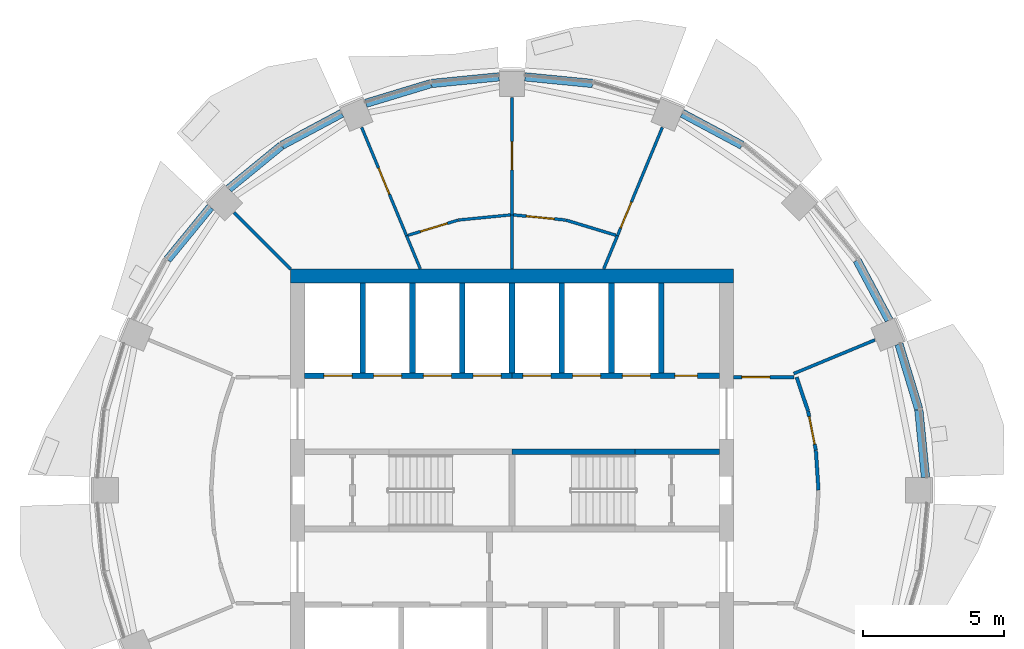
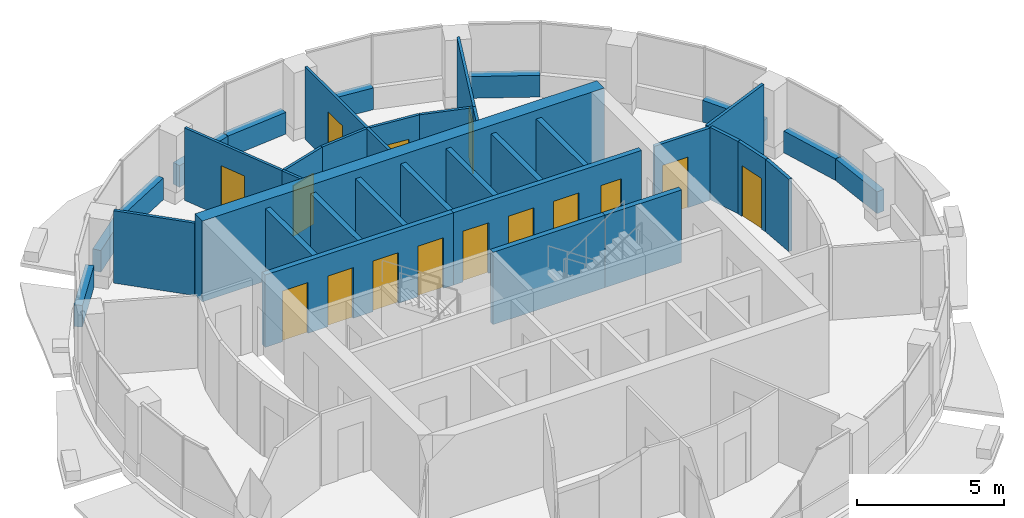
# One storey, part 9 of 14: 38 walls, 15 doors, 15 openings.
"""IFC4 building model written with IfcOpenShell, lengths in metres."""

from ifc_helpers import new_model, si_unit, direction, frame, frame_2d, origin, place, context, subcontext, project, spatial, rectangle, extrude, material, layer, layer_set, type_object, element, fill, save


model = new_model("IFC4")

# Units and contexts
model_context = context("Model", 3, precision=1e-05, world=origin(), true_north=direction((0.0, 1.0)))
body_context = subcontext(model_context, "Body", "Model", "MODEL_VIEW")
ifc_project = project(units=[si_unit("LENGTHUNIT", "METRE"), si_unit("AREAUNIT", "SQUARE_METRE"), si_unit("VOLUMEUNIT", "CUBIC_METRE"), si_unit("PLANEANGLEUNIT", "RADIAN"), si_unit("MASSUNIT", "GRAM", prefix="KILO")], contexts=[model_context])

# Site, building, storey
site_placement = place(None, origin())
site = spatial("IfcSite", under=ifc_project, at=site_placement, CompositionType="ELEMENT")
building_placement = place(site_placement, origin())
building = spatial("IfcBuilding", under=site, at=building_placement, Name="Polderwave Tower", CompositionType="ELEMENT")
storey_placement = place(building_placement, frame((0.0, 0.0, 227.85009765625)))
storey = spatial("IfcBuildingStorey", under=building, at=storey_placement, Name="L62", CompositionType="ELEMENT", Elevation=227.85009765625)

# Walls
ifc_material_1 = material(Name="Concrete C60/75", Category="concrete")
ifc_layer_1 = layer(ifc_material_1, 0.5)
ifc_layer_set_1 = layer_set([ifc_layer_1], Name="CORE WALL 500 C60/75")
wall_type_1 = type_object("IfcWallType", Name="CORE WALL 500 C60/75", PredefinedType="SHEAR", material=ifc_layer_set_1)
wall_1_placement = place(storey_placement, frame((-7.8740234375, 7.6240234375, 0.0), z_axis=(0.0, 0.0, 1.0), x_axis=(1.0, 0.0, 0.0)))
element("IfcWall", 1, at=wall_1_placement, inside=storey, type_object=wall_type_1, Name="ST-CORE-L62-N", PredefinedType="SHEAR", context=body_context, shape_type="SweptSolid", body=[
    extrude(rectangle(XDim=15.748046875, YDim=0.5, at=frame_2d((7.8740234375, 0.0))), origin(), (0.0, 0.0, 1.0), 3.349853515625),
])
ifc_material_2 = material(Name="Concrete C50/60 (board-marked)", Category="concrete")
ifc_layer_2 = layer(ifc_material_2, 0.300048828125)
ifc_layer_set_2 = layer_set([ifc_layer_2], Name="Concrete spandrel upstand C50/60")
wall_type_2 = type_object("IfcWallType", Name="Concrete spandrel upstand C50/60", PredefinedType="SOLIDWALL", material=ifc_layer_set_2)
wall_2_placement = place(storey_placement, frame((14.70458984375, 0.462890625, 0.0), z_axis=(0.0, 0.0, 1.0), x_axis=(-0.09792937678, 0.99519336672, 0.0)))
element("IfcWall", 2, at=wall_2_placement, inside=storey, type_object=wall_type_2, Name="Spandrel L62 1a", PredefinedType="SOLIDWALL", context=body_context, shape_type="SweptSolid", body=[
    extrude(rectangle(XDim=2.41064453125, YDim=0.300048828125, at=frame_2d((1.205322265625, 0.0))), origin(), (0.0, 0.0, 1.0), 0.89990234375),
])
wall_3_placement = place(storey_placement, frame((14.462646484375, 2.891357421875, 0.0), z_axis=(0.0, 0.0, 1.0), x_axis=(-0.290412066449, 0.956901683383, 0.0)))
element("IfcWall", 3, at=wall_3_placement, inside=storey, type_object=wall_type_2, Name="Spandrel L62 1b", PredefinedType="SOLIDWALL", context=body_context, shape_type="SweptSolid", body=[
    extrude(rectangle(XDim=2.4111328125, YDim=0.300048828125, at=frame_2d((1.20556640625, 0.0))), origin(), (0.0, 0.0, 1.0), 0.89990234375),
])
for number, where, z_axis, x_axis, name in (
    (4, (13.406982421875, 6.05517578125, 0.0), (0.0, 0.0, 1.0), (-0.471318859495, 0.881962886229, 0.0), "Spandrel L62 2a"),
    (5, (8.180908203125, 12.27099609375, 0.0), (0.0, 0.0, 1.0), (-0.881962886229, 0.471318859495, 0.0), "Spandrel L62 3b"),
):
    element("IfcWall", number, at=place(storey_placement, frame(where, z_axis=z_axis, x_axis=x_axis)), inside=storey, type_object=wall_type_2, Name=name, PredefinedType="SOLIDWALL", context=body_context, shape_type="SweptSolid", body=[
        extrude(rectangle(XDim=2.41015625, YDim=0.300048828125, at=frame_2d((1.205078125, 0.0))), origin(), (0.0, 0.0, 1.0), 0.89990234375),
    ])
for number, where, z_axis, x_axis, name in (
    (6, (2.862060546875, 14.468505859375, 0.0), (0.0, 0.0, 1.0), (-0.99519336672, 0.09792937678, 0.0), "Spandrel L62 4b"),
    (7, (-0.462890625, 14.70458984375, 0.0), (0.0, 0.0, 1.0), (-0.99519336672, -0.09792937678, 0.0), "Spandrel L62 5a"),
):
    element("IfcWall", number, at=place(storey_placement, frame(where, z_axis=z_axis, x_axis=x_axis)), inside=storey, type_object=wall_type_2, Name=name, PredefinedType="SOLIDWALL", context=body_context, shape_type="SweptSolid", body=[
        extrude(rectangle(XDim=2.41064453125, YDim=0.300048828125, at=frame_2d((1.205322265625, 0.0))), origin(), (0.0, 0.0, 1.0), 0.89990234375),
    ])
wall_4_placement = place(storey_placement, frame((-2.891357421875, 14.462646484375, 0.0), z_axis=(0.0, 0.0, 1.0), x_axis=(-0.956901683383, -0.290412066449, 0.0)))
element("IfcWall", 8, at=wall_4_placement, inside=storey, type_object=wall_type_2, Name="Spandrel L62 5b", PredefinedType="SOLIDWALL", context=body_context, shape_type="SweptSolid", body=[
    extrude(rectangle(XDim=2.4111328125, YDim=0.300048828125, at=frame_2d((1.20556640625, 0.0))), origin(), (0.0, 0.0, 1.0), 0.89990234375),
])
wall_5_placement = place(storey_placement, frame((-6.05517578125, 13.406982421875, 0.0), z_axis=(0.0, 0.0, 1.0), x_axis=(-0.881962886229, -0.471318859495, 0.0)))
element("IfcWall", 9, at=wall_5_placement, inside=storey, type_object=wall_type_2, Name="Spandrel L62 6a", PredefinedType="SOLIDWALL", context=body_context, shape_type="SweptSolid", body=[
    extrude(rectangle(XDim=2.41015625, YDim=0.300048828125, at=frame_2d((1.205078125, 0.0))), origin(), (0.0, 0.0, 1.0), 0.89990234375),
])
for number, where, z_axis, x_axis, name in (
    (10, (-8.20556640625, 12.25439453125, 0.0), (0.0, 0.0, 1.0), (-0.773325372959, -0.634009359187, 0.0), "Spandrel L62 6b"),
    (11, (-10.7255859375, 10.0703125, 0.0), (0.0, 0.0, 1.0), (-0.634009359187, -0.773325372959, 0.0), "Spandrel L62 7a"),
):
    element("IfcWall", number, at=place(storey_placement, frame(where, z_axis=z_axis, x_axis=x_axis)), inside=storey, type_object=wall_type_2, Name=name, PredefinedType="SOLIDWALL", context=body_context, shape_type="SweptSolid", body=[
        extrude(rectangle(XDim=2.411376953125, YDim=0.300048828125, at=frame_2d((1.20556640625, 0.0))), origin(), (0.0, 0.0, 1.0), 0.89990234375),
    ])

# Wall, openings, doors
ifc_material_3 = material(Name="Concrete C50/60", Category="concrete")
ifc_layer_3 = layer(ifc_material_3, 0.199951171875)
ifc_layer_set_3 = layer_set([ifc_layer_3], Name="Core web wall 200")
wall_type_3 = type_object("IfcWallType", Name="Core web wall 200", PredefinedType="SHEAR", material=ifc_layer_set_3)
wall_6_placement = place(storey_placement, frame((-7.3740234375, 4.073974609375, 0.0), z_axis=(0.0, 0.0, 1.0), x_axis=(1.0, 0.0, 0.0)))
wall_6 = element("IfcWall", 12, at=wall_6_placement, inside=storey, type_object=wall_type_3, Name="L62 north front wall 1", PredefinedType="SHEAR", context=body_context, shape_type="SweptSolid", body=[
    extrude(rectangle(XDim=7.3740234375, YDim=0.199951171875, at=frame_2d((3.68701171875, 0.0))), origin(), (0.0, 0.0, 1.0), 3.0),
])
opening_1_placement = place(wall_6_placement, frame((0.68408203125, 0.0, 0.0)))
opening_1 = element("IfcOpeningElement", 13, at=opening_1_placement, cuts=wall_6, Name="Opening L62-D03", PredefinedType="OPENING", context=body_context, shape_type="SweptSolid", body=[
    extrude(rectangle(XDim=1.0, YDim=2.10009765625, at=frame_2d((0.5, 1.050048828125))), frame((0.0, 0.10986328125, 0.0), z_axis=(0.0, -1.0, 0.0), x_axis=(1.0, 0.0, 0.0)), (0.0, 0.0, 1.0), 0.219970703125),
])
opening_2_placement = place(wall_6_placement, frame((2.45263671875, 0.0, 0.0)))
opening_2 = element("IfcOpeningElement", 14, at=opening_2_placement, cuts=wall_6, Name="Opening L62-D04", PredefinedType="OPENING", context=body_context, shape_type="SweptSolid", body=[
    extrude(rectangle(XDim=1.0, YDim=2.10009765625, at=frame_2d((0.5, 1.050048828125))), frame((0.0, 0.10986328125, 0.0), z_axis=(0.0, -1.0, 0.0), x_axis=(1.0, 0.0, 0.0)), (0.0, 0.0, 1.0), 0.219970703125),
])
opening_3_placement = place(wall_6_placement, frame((4.22119140625, 0.0, 0.0)))
opening_3 = element("IfcOpeningElement", 15, at=opening_3_placement, cuts=wall_6, Name="Opening L62-D05", PredefinedType="OPENING", context=body_context, shape_type="SweptSolid", body=[
    extrude(rectangle(XDim=1.0, YDim=2.10009765625, at=frame_2d((0.5, 1.050048828125))), frame((0.0, 0.10986328125, 0.0), z_axis=(0.0, -1.0, 0.0), x_axis=(1.0, 0.0, 0.0)), (0.0, 0.0, 1.0), 0.219970703125),
])
opening_4_placement = place(wall_6_placement, frame((5.98974609375, 0.0, 0.0)))
opening_4 = element("IfcOpeningElement", 16, at=opening_4_placement, cuts=wall_6, Name="Opening L62-D06", PredefinedType="OPENING", context=body_context, shape_type="SweptSolid", body=[
    extrude(rectangle(XDim=1.0, YDim=2.10009765625, at=frame_2d((0.5, 1.050048828125))), frame((0.0, 0.10986328125, 0.0), z_axis=(0.0, -1.0, 0.0), x_axis=(1.0, 0.0, 0.0)), (0.0, 0.0, 1.0), 0.219970703125),
])
ifc_material_4 = material(Name="Stainless steel", Category="steel")
door_type_1 = type_object("IfcDoorType", Name="Lift landing door 1000", OperationType="DOUBLE_DOOR_SLIDING", PredefinedType="DOOR", material=ifc_material_4)
door_1_placement = place(opening_1_placement, frame((1.0, 0.0, 0.0), z_axis=(0.0, 0.0, 1.0), x_axis=(-1.0, 0.0, 0.0)))
door_1 = element("IfcDoor", 17, at=door_1_placement, inside=storey, type_object=door_type_1, Name="Lift HL1 landing door", OperationType="DOUBLE_DOOR_SLIDING", OverallHeight=2.10009765625, OverallWidth=1.0, PredefinedType="DOOR", context=body_context, shape_type="SweptSolid", body=[
    extrude(rectangle(XDim=1.0, YDim=2.10009765625, at=frame_2d((0.5, 1.050048828125))), frame((0.0, 0.02490234375, 0.0), z_axis=(0.0, -1.0, 0.0), x_axis=(1.0, 0.0, 0.0)), (0.0, 0.0, 1.0), 0.050048828125),
])
fill(opening_1, door_1)
door_2_placement = place(opening_2_placement, frame((1.0, 0.0, 0.0), z_axis=(0.0, 0.0, 1.0), x_axis=(-1.0, 0.0, 0.0)))
door_2 = element("IfcDoor", 18, at=door_2_placement, inside=storey, type_object=door_type_1, Name="Lift HL2 landing door", OperationType="DOUBLE_DOOR_SLIDING", OverallHeight=2.10009765625, OverallWidth=1.0, PredefinedType="DOOR", context=body_context, shape_type="SweptSolid", body=[
    extrude(rectangle(XDim=1.0, YDim=2.10009765625, at=frame_2d((0.5, 1.050048828125))), frame((0.0, 0.02490234375, 0.0), z_axis=(0.0, -1.0, 0.0), x_axis=(1.0, 0.0, 0.0)), (0.0, 0.0, 1.0), 0.050048828125),
])
fill(opening_2, door_2)
door_3_placement = place(opening_3_placement, frame((1.0, 0.0, 0.0), z_axis=(0.0, 0.0, 1.0), x_axis=(-1.0, 0.0, 0.0)))
door_3 = element("IfcDoor", 19, at=door_3_placement, inside=storey, type_object=door_type_1, Name="Lift HL3 landing door", OperationType="DOUBLE_DOOR_SLIDING", OverallHeight=2.10009765625, OverallWidth=1.0, PredefinedType="DOOR", context=body_context, shape_type="SweptSolid", body=[
    extrude(rectangle(XDim=1.0, YDim=2.10009765625, at=frame_2d((0.5, 1.050048828125))), frame((0.0, 0.02490234375, 0.0), z_axis=(0.0, -1.0, 0.0), x_axis=(1.0, 0.0, 0.0)), (0.0, 0.0, 1.0), 0.050048828125),
])
fill(opening_3, door_3)
door_4_placement = place(opening_4_placement, frame((1.0, 0.0, 0.0), z_axis=(0.0, 0.0, 1.0), x_axis=(-1.0, 0.0, 0.0)))
door_4 = element("IfcDoor", 20, at=door_4_placement, inside=storey, type_object=door_type_1, Name="Lift HL4 landing door", OperationType="DOUBLE_DOOR_SLIDING", OverallHeight=2.10009765625, OverallWidth=1.0, PredefinedType="DOOR", context=body_context, shape_type="SweptSolid", body=[
    extrude(rectangle(XDim=1.0, YDim=2.10009765625, at=frame_2d((0.5, 1.050048828125))), frame((0.0, 0.02490234375, 0.0), z_axis=(0.0, -1.0, 0.0), x_axis=(1.0, 0.0, 0.0)), (0.0, 0.0, 1.0), 0.050048828125),
])
fill(opening_4, door_4)

wall_7_placement = place(storey_placement, frame((0.0, 4.073974609375, 0.0), z_axis=(0.0, 0.0, 1.0), x_axis=(1.0, 0.0, 0.0)))
wall_7 = element("IfcWall", 21, at=wall_7_placement, inside=storey, type_object=wall_type_3, Name="L62 north front wall 2", PredefinedType="SHEAR", context=body_context, shape_type="SweptSolid", body=[
    extrude(rectangle(XDim=7.3740234375, YDim=0.199951171875, at=frame_2d((3.68701171875, 0.0))), origin(), (0.0, 0.0, 1.0), 3.0),
])
opening_5_placement = place(wall_7_placement, frame((0.38427734375, 0.0, 0.0)))
opening_5 = element("IfcOpeningElement", 22, at=opening_5_placement, cuts=wall_7, Name="Opening L62-D07", PredefinedType="OPENING", context=body_context, shape_type="SweptSolid", body=[
    extrude(rectangle(XDim=1.0, YDim=2.10009765625, at=frame_2d((0.5, 1.050048828125))), frame((0.0, 0.10986328125, 0.0), z_axis=(0.0, -1.0, 0.0), x_axis=(1.0, 0.0, 0.0)), (0.0, 0.0, 1.0), 0.219970703125),
])
opening_6_placement = place(wall_7_placement, frame((2.15283203125, 0.0, 0.0)))
opening_6 = element("IfcOpeningElement", 23, at=opening_6_placement, cuts=wall_7, Name="Opening L62-D08", PredefinedType="OPENING", context=body_context, shape_type="SweptSolid", body=[
    extrude(rectangle(XDim=1.0, YDim=2.10009765625, at=frame_2d((0.5, 1.050048828125))), frame((0.0, 0.10986328125, 0.0), z_axis=(0.0, -1.0, 0.0), x_axis=(1.0, 0.0, 0.0)), (0.0, 0.0, 1.0), 0.219970703125),
])
opening_7_placement = place(wall_7_placement, frame((3.921142578125, 0.0, 0.0)))
opening_7 = element("IfcOpeningElement", 24, at=opening_7_placement, cuts=wall_7, Name="Opening L62-D09", PredefinedType="OPENING", context=body_context, shape_type="SweptSolid", body=[
    extrude(rectangle(XDim=1.0, YDim=2.10009765625, at=frame_2d((0.5, 1.050048828125))), frame((0.0, 0.10986328125, 0.0), z_axis=(0.0, -1.0, 0.0), x_axis=(1.0, 0.0, 0.0)), (0.0, 0.0, 1.0), 0.219970703125),
])
opening_8_placement = place(wall_7_placement, frame((5.789794921875, 0.0, 0.0)))
opening_8 = element("IfcOpeningElement", 25, at=opening_8_placement, cuts=wall_7, Name="Opening L62-D19", PredefinedType="OPENING", context=body_context, shape_type="SweptSolid", body=[
    extrude(rectangle(XDim=0.800048828125, YDim=2.10009765625, at=frame_2d((0.39990234375, 1.050048828125))), frame((0.0, 0.10986328125, 0.0), z_axis=(0.0, -1.0, 0.0), x_axis=(1.0, 0.0, 0.0)), (0.0, 0.0, 1.0), 0.219970703125),
])
door_5_placement = place(opening_5_placement, frame((1.0, 0.0, 0.0), z_axis=(0.0, 0.0, 1.0), x_axis=(-1.0, 0.0, 0.0)))
door_5 = element("IfcDoor", 26, at=door_5_placement, inside=storey, type_object=door_type_1, Name="Lift HL5 landing door", OperationType="DOUBLE_DOOR_SLIDING", OverallHeight=2.10009765625, OverallWidth=1.0, PredefinedType="DOOR", context=body_context, shape_type="SweptSolid", body=[
    extrude(rectangle(XDim=1.0, YDim=2.10009765625, at=frame_2d((0.5, 1.050048828125))), frame((0.0, 0.02490234375, 0.0), z_axis=(0.0, -1.0, 0.0), x_axis=(1.0, 0.0, 0.0)), (0.0, 0.0, 1.0), 0.050048828125),
])
fill(opening_5, door_5)
door_6_placement = place(opening_6_placement, frame((1.0, 0.0, 0.0), z_axis=(0.0, 0.0, 1.0), x_axis=(-1.0, 0.0, 0.0)))
door_6 = element("IfcDoor", 27, at=door_6_placement, inside=storey, type_object=door_type_1, Name="Lift HL6 landing door", OperationType="DOUBLE_DOOR_SLIDING", OverallHeight=2.10009765625, OverallWidth=1.0, PredefinedType="DOOR", context=body_context, shape_type="SweptSolid", body=[
    extrude(rectangle(XDim=1.0, YDim=2.10009765625, at=frame_2d((0.5, 1.050048828125))), frame((0.0, 0.02490234375, 0.0), z_axis=(0.0, -1.0, 0.0), x_axis=(1.0, 0.0, 0.0)), (0.0, 0.0, 1.0), 0.050048828125),
])
fill(opening_6, door_6)
door_7_placement = place(opening_7_placement, frame((1.0, 0.0, 0.0), z_axis=(0.0, 0.0, 1.0), x_axis=(-1.0, 0.0, 0.0)))
door_7 = element("IfcDoor", 28, at=door_7_placement, inside=storey, type_object=door_type_1, Name="Lift HL7 landing door", OperationType="DOUBLE_DOOR_SLIDING", OverallHeight=2.10009765625, OverallWidth=1.0, PredefinedType="DOOR", context=body_context, shape_type="SweptSolid", body=[
    extrude(rectangle(XDim=1.0, YDim=2.10009765625, at=frame_2d((0.5, 1.050048828125))), frame((0.0, 0.02490234375, 0.0), z_axis=(0.0, -1.0, 0.0), x_axis=(1.0, 0.0, 0.0)), (0.0, 0.0, 1.0), 0.050048828125),
])
fill(opening_7, door_7)
ifc_material_5 = material(Name="Steel fire door", Category="steel")
door_type_2 = type_object("IfcDoorType", Name="Riser door 800", OperationType="NOTDEFINED", PredefinedType="DOOR", material=ifc_material_5)
door_8_placement = place(opening_8_placement, frame((0.800048828125, 0.0, 0.0), z_axis=(0.0, 0.0, 1.0), x_axis=(-1.0, 0.0, 0.0)))
door_8 = element("IfcDoor", 29, at=door_8_placement, inside=storey, type_object=door_type_2, Name="Riser door", OperationType="SINGLE_SWING_LEFT", OverallHeight=2.10009765625, OverallWidth=0.800048828125, PredefinedType="DOOR", context=body_context, shape_type="SweptSolid", body=[
    extrude(rectangle(XDim=0.800048828125, YDim=2.10009765625, at=frame_2d((0.39990234375, 1.050048828125))), frame((0.0, 0.02490234375, 0.0), z_axis=(0.0, -1.0, 0.0), x_axis=(1.0, 0.0, 0.0)), (0.0, 0.0, 1.0), 0.050048828125),
])
fill(opening_8, door_8)

# Walls
wall_8_placement = place(storey_placement, frame((0.0, 1.375, 0.0), z_axis=(0.0, 0.0, 1.0), x_axis=(1.0, 0.0, 0.0)))
element("IfcWall", 30, at=wall_8_placement, inside=storey, type_object=wall_type_3, Name="L62 north stair wall 3", PredefinedType="SHEAR", context=body_context, shape_type="SweptSolid", body=[
    extrude(rectangle(XDim=4.3740234375, YDim=0.199951171875, at=frame_2d((2.18701171875, 0.0))), origin(), (0.0, 0.0, 1.0), 3.0),
])
wall_9_placement = place(storey_placement, frame((4.3740234375, 1.375, 0.0), z_axis=(0.0, 0.0, 1.0), x_axis=(1.0, 0.0, 0.0)))
element("IfcWall", 31, at=wall_9_placement, inside=storey, type_object=wall_type_3, Name="L62 north stair wall 4", PredefinedType="SHEAR", context=body_context, shape_type="SweptSolid", body=[
    extrude(rectangle(XDim=3.0, YDim=0.199951171875, at=frame_2d((1.5, 0.0))), origin(), (0.0, 0.0, 1.0), 3.0),
])
ifc_material_6 = material(Name="Fire-resisting board on steel studs", Category="steel")
ifc_layer_4 = layer(ifc_material_6, 0.125)
ifc_layer_set_4 = layer_set([ifc_layer_4], Name="Corridor wall 125 mm EI 60")
wall_type_4 = type_object("IfcWallType", Name="Corridor wall 125 mm EI 60", PredefinedType="PARTITIONING", material=ifc_layer_set_4)
wall_10_placement = place(storey_placement, frame((10.1201171875, 4.0244140625, 0.0), z_axis=(0.0, 0.0, 1.0), x_axis=(0.321484610675, -0.946914803506, 0.0)))
element("IfcWall", 32, at=wall_10_placement, inside=storey, type_object=wall_type_4, Name="IN-L62-W001", PredefinedType="PARTITIONING", context=body_context, shape_type="SweptSolid", body=[
    extrude(rectangle(XDim=1.2666015625, YDim=0.125, at=frame_2d((0.63330078125, 0.0))), origin(), (0.0, 0.0, 1.0), 3.0),
])

# Wall, opening, door
wall_11_placement = place(storey_placement, frame((10.529296875, 2.817138671875, 0.0), z_axis=(0.0, 0.0, 1.0), x_axis=(0.195122471741, -0.980778884878, 0.0)))
wall_11 = element("IfcWall", 33, at=wall_11_placement, inside=storey, type_object=wall_type_4, Name="IN-L62-W003", PredefinedType="PARTITIONING", context=body_context, shape_type="SweptSolid", body=[
    extrude(rectangle(XDim=1.417724609375, YDim=0.125, at=frame_2d((0.708984375, 0.0))), origin(), (0.0, 0.0, 1.0), 3.0),
])
opening_9_placement = place(wall_11_placement, frame((0.199951171875, 0.0, 0.0)))
opening_9 = element("IfcOpeningElement", 34, at=opening_9_placement, cuts=wall_11, Name="Opening L62-D50", PredefinedType="OPENING", context=body_context, shape_type="SweptSolid", body=[
    extrude(rectangle(XDim=1.0, YDim=2.10009765625, at=frame_2d((0.5, 1.050048828125))), frame((0.0, 0.072509765625, 0.0), z_axis=(0.0, -1.0, 0.0), x_axis=(1.0, 0.0, 0.0)), (0.0, 0.0, 1.0), 0.14501953125),
])
ifc_material_7 = material(Name="Timber fire door leaf", Category="wood")
door_type_3 = type_object("IfcDoorType", Name="Fire door FD30S 1000 x 2100", OperationType="NOTDEFINED", PredefinedType="DOOR", material=ifc_material_7)
door_9_placement = place(opening_9_placement, origin())
door_9 = element("IfcDoor", 35, at=door_9_placement, inside=storey, type_object=door_type_3, Name="Door L62-D50", OperationType="SINGLE_SWING_LEFT", OverallHeight=2.10009765625, OverallWidth=1.0, PredefinedType="DOOR", context=body_context, shape_type="SweptSolid", body=[
    extrude(rectangle(XDim=1.0, YDim=2.10009765625, at=frame_2d((0.5, 1.050048828125))), frame((0.0, 0.02490234375, 0.0), z_axis=(0.0, -1.0, 0.0), x_axis=(1.0, 0.0, 0.0)), (0.0, 0.0, 1.0), 0.050048828125),
])
fill(opening_9, door_9)

# Wall
wall_12_placement = place(storey_placement, frame((10.806884765625, 1.418701171875, 0.0), z_axis=(0.0, 0.0, 1.0), x_axis=(0.065444487472, -0.997856211615, 0.0)))
element("IfcWall", 36, at=wall_12_placement, inside=storey, type_object=wall_type_4, Name="IN-L62-W005", PredefinedType="PARTITIONING", context=body_context, shape_type="SweptSolid", body=[
    extrude(rectangle(XDim=1.41748046875, YDim=0.125, at=frame_2d((0.708740234375, 0.0))), origin(), (0.0, 0.0, 1.0), 3.0),
])

# Wall, opening, door
wall_13_placement = place(storey_placement, frame((7.8740234375, 4.0244140625, 0.0), z_axis=(0.0, 0.0, 1.0), x_axis=(1.0, 0.0, 0.0)))
wall_13 = element("IfcWall", 37, at=wall_13_placement, inside=storey, type_object=wall_type_4, Name="IN-L62-W007", PredefinedType="PARTITIONING", context=body_context, shape_type="SweptSolid", body=[
    extrude(rectangle(XDim=2.158935546875, YDim=0.125, at=frame_2d((1.07958984375, 0.0))), origin(), (0.0, 0.0, 1.0), 3.0),
])
opening_10_placement = place(wall_13_placement, frame((0.300048828125, 0.0, 0.0)))
opening_10 = element("IfcOpeningElement", 38, at=opening_10_placement, cuts=wall_13, Name="Opening L62-D51", PredefinedType="OPENING", context=body_context, shape_type="SweptSolid", body=[
    extrude(rectangle(XDim=1.0, YDim=2.10009765625, at=frame_2d((0.5, 1.050048828125))), frame((0.0, 0.072509765625, 0.0), z_axis=(0.0, -1.0, 0.0), x_axis=(1.0, 0.0, 0.0)), (0.0, 0.0, 1.0), 0.14501953125),
])
door_10_placement = place(opening_10_placement, origin())
door_10 = element("IfcDoor", 39, at=door_10_placement, inside=storey, type_object=door_type_3, Name="Door L62-D51", OperationType="SINGLE_SWING_LEFT", OverallHeight=2.10009765625, OverallWidth=1.0, PredefinedType="DOOR", context=body_context, shape_type="SweptSolid", body=[
    extrude(rectangle(XDim=1.0, YDim=2.10009765625, at=frame_2d((0.5, 1.050048828125))), frame((0.0, 0.02490234375, 0.0), z_axis=(0.0, -1.0, 0.0), x_axis=(1.0, 0.0, 0.0)), (0.0, 0.0, 1.0), 0.050048828125),
])
fill(opening_10, door_10)

ifc_material_8 = material(Name="Plasterboard on steel studs", Category="steel")
ifc_layer_5 = layer(ifc_material_8, 0.10009765625)
ifc_layer_set_5 = layer_set([ifc_layer_5], Name="Partition 100 mm plasterboard on steel studs")
wall_type_5 = type_object("IfcWallType", Name="Partition 100 mm plasterboard on steel studs", PredefinedType="PARTITIONING", material=ifc_layer_set_5)
wall_14_placement = place(storey_placement, frame((3.750244140625, 9.053955078125, 0.0), z_axis=(0.0, 0.0, 1.0), x_axis=(0.382718911932, 0.923864835595, 0.0)))
wall_14 = element("IfcWall", 40, at=wall_14_placement, inside=storey, type_object=wall_type_5, Name="IN-L62-W021", PredefinedType="PARTITIONING", context=body_context, shape_type="SweptSolid", body=[
    extrude(rectangle(XDim=4.169921875, YDim=0.10009765625, at=frame_2d((2.0849609375, 0.0))), origin(), (0.0, 0.0, 1.0), 3.0),
])
opening_11_placement = place(wall_14_placement, frame((0.300048828125, 0.0, 0.0)))
opening_11 = element("IfcOpeningElement", 41, at=opening_11_placement, cuts=wall_14, Name="Opening L62-D56", PredefinedType="OPENING", context=body_context, shape_type="SweptSolid", body=[
    extrude(rectangle(XDim=1.0, YDim=2.10009765625, at=frame_2d((0.5, 1.050048828125))), frame((0.0, 0.06005859375, 0.0), z_axis=(0.0, -1.0, 0.0), x_axis=(1.0, 0.0, 0.0)), (0.0, 0.0, 1.0), 0.1201171875),
])
ifc_material_9 = material(Name="Timber veneer door leaf", Category="wood")
door_type_4 = type_object("IfcDoorType", Name="Single door 1000 x 2100", OperationType="NOTDEFINED", PredefinedType="DOOR", material=ifc_material_9)
door_11_placement = place(opening_11_placement, origin())
door_11 = element("IfcDoor", 42, at=door_11_placement, inside=storey, type_object=door_type_4, Name="Door L62-D56", OperationType="SINGLE_SWING_LEFT", OverallHeight=2.10009765625, OverallWidth=1.0, PredefinedType="DOOR", context=body_context, shape_type="SweptSolid", body=[
    extrude(rectangle(XDim=1.0, YDim=2.10009765625, at=frame_2d((0.5, 1.050048828125))), frame((0.0, 0.02490234375, 0.0), z_axis=(0.0, -1.0, 0.0), x_axis=(1.0, 0.0, 0.0)), (0.0, 0.0, 1.0), 0.050048828125),
])
fill(opening_11, door_11)

wall_15_placement = place(storey_placement, frame((0.0, 9.800048828125, 0.0), z_axis=(0.0, 0.0, 1.0), x_axis=(0.0, 1.0, 0.0)))
wall_15 = element("IfcWall", 43, at=wall_15_placement, inside=storey, type_object=wall_type_5, Name="IN-L62-W025", PredefinedType="PARTITIONING", context=body_context, shape_type="SweptSolid", body=[
    extrude(rectangle(XDim=4.169921875, YDim=0.10009765625, at=frame_2d((2.0849609375, 0.0))), origin(), (0.0, 0.0, 1.0), 3.0),
])
opening_12_placement = place(wall_15_placement, frame((1.60009765625, 0.0, 0.0)))
opening_12 = element("IfcOpeningElement", 44, at=opening_12_placement, cuts=wall_15, Name="Opening L62-D58", PredefinedType="OPENING", context=body_context, shape_type="SweptSolid", body=[
    extrude(rectangle(XDim=1.0, YDim=2.10009765625, at=frame_2d((0.5, 1.050048828125))), frame((0.0, 0.06005859375, 0.0), z_axis=(0.0, -1.0, 0.0), x_axis=(1.0, 0.0, 0.0)), (0.0, 0.0, 1.0), 0.1201171875),
])
door_12_placement = place(opening_12_placement, origin())
door_12 = element("IfcDoor", 45, at=door_12_placement, inside=storey, type_object=door_type_4, Name="Door L62-D58", OperationType="SINGLE_SWING_RIGHT", OverallHeight=2.10009765625, OverallWidth=1.0, PredefinedType="DOOR", context=body_context, shape_type="SweptSolid", body=[
    extrude(rectangle(XDim=1.0, YDim=2.10009765625, at=frame_2d((0.5, 1.050048828125))), frame((0.0, 0.02490234375, 0.0), z_axis=(0.0, -1.0, 0.0), x_axis=(1.0, 0.0, 0.0)), (0.0, 0.0, 1.0), 0.050048828125),
])
fill(opening_12, door_12)

wall_16_placement = place(storey_placement, frame((-1.91650390625, 9.6103515625, 0.0), z_axis=(0.0, 0.0, 1.0), x_axis=(-0.956937203992, -0.290295001019, 0.0)))
wall_16 = element("IfcWall", 46, at=wall_16_placement, inside=storey, type_object=wall_type_5, Name="IN-L62-W026", PredefinedType="PARTITIONING", context=body_context, shape_type="SweptSolid", body=[
    extrude(rectangle(XDim=1.861083984375, YDim=0.10009765625, at=frame_2d((0.9306640625, 0.0))), origin(), (0.0, 0.0, 1.0), 3.0),
])
opening_13_placement = place(wall_16_placement, frame((0.39990234375, 0.0, 0.0)))
opening_13 = element("IfcOpeningElement", 47, at=opening_13_placement, cuts=wall_16, Name="Opening L62-D59", PredefinedType="OPENING", context=body_context, shape_type="SweptSolid", body=[
    extrude(rectangle(XDim=1.0, YDim=2.10009765625, at=frame_2d((0.5, 1.050048828125))), frame((0.0, 0.06005859375, 0.0), z_axis=(0.0, -1.0, 0.0), x_axis=(1.0, 0.0, 0.0)), (0.0, 0.0, 1.0), 0.1201171875),
])
door_13_placement = place(opening_13_placement, origin())
door_13 = element("IfcDoor", 48, at=door_13_placement, inside=storey, type_object=door_type_4, Name="Door L62-D59", OperationType="SINGLE_SWING_LEFT", OverallHeight=2.10009765625, OverallWidth=1.0, PredefinedType="DOOR", context=body_context, shape_type="SweptSolid", body=[
    extrude(rectangle(XDim=1.0, YDim=2.10009765625, at=frame_2d((0.5, 1.050048828125))), frame((0.0, 0.02490234375, 0.0), z_axis=(0.0, -1.0, 0.0), x_axis=(1.0, 0.0, 0.0)), (0.0, 0.0, 1.0), 0.050048828125),
])
fill(opening_13, door_13)

# Walls
wall_17_placement = place(storey_placement, frame((-1.906982421875, 9.6123046875, 0.0), z_axis=(0.0, 0.0, 1.0), x_axis=(0.995199718264, 0.09786480862, 0.0)))
element("IfcWall", 49, at=wall_17_placement, inside=storey, type_object=wall_type_5, Name="IN-L62-W027", PredefinedType="PARTITIONING", context=body_context, shape_type="SweptSolid", body=[
    extrude(rectangle(XDim=1.858642578125, YDim=0.10009765625, at=frame_2d((0.92919921875, 0.0))), origin(), (0.0, 0.0, 1.0), 3.0),
])
wall_18_placement = place(storey_placement, frame((-3.261474609375, 7.8740234375, 0.0), z_axis=(0.0, 0.0, 1.0), x_axis=(-0.382700703766, 0.923872378273, 0.0)))
element("IfcWall", 50, at=wall_18_placement, inside=storey, type_object=wall_type_5, Name="IN-L62-W028", PredefinedType="PARTITIONING", context=body_context, shape_type="SweptSolid", body=[
    extrude(rectangle(XDim=1.277099609375, YDim=0.10009765625, at=frame_2d((0.638671875, 0.0))), origin(), (0.0, 0.0, 1.0), 3.0),
])

# Wall, opening, door
wall_19_placement = place(storey_placement, frame((-3.750244140625, 9.053955078125, 0.0), z_axis=(0.0, 0.0, 1.0), x_axis=(-0.382718911932, 0.923864835595, 0.0)))
wall_19 = element("IfcWall", 51, at=wall_19_placement, inside=storey, type_object=wall_type_5, Name="IN-L62-W029", PredefinedType="PARTITIONING", context=body_context, shape_type="SweptSolid", body=[
    extrude(rectangle(XDim=4.169921875, YDim=0.10009765625, at=frame_2d((2.0849609375, 0.0))), origin(), (0.0, 0.0, 1.0), 3.0),
])
opening_14_placement = place(wall_19_placement, frame((1.60009765625, 0.0, 0.0)))
opening_14 = element("IfcOpeningElement", 52, at=opening_14_placement, cuts=wall_19, Name="Opening L62-D60", PredefinedType="OPENING", context=body_context, shape_type="SweptSolid", body=[
    extrude(rectangle(XDim=1.0, YDim=2.10009765625, at=frame_2d((0.5, 1.050048828125))), frame((0.0, 0.06005859375, 0.0), z_axis=(0.0, -1.0, 0.0), x_axis=(1.0, 0.0, 0.0)), (0.0, 0.0, 1.0), 0.1201171875),
])
door_14_placement = place(opening_14_placement, origin())
door_14 = element("IfcDoor", 53, at=door_14_placement, inside=storey, type_object=door_type_4, Name="Door L62-D60", OperationType="SINGLE_SWING_RIGHT", OverallHeight=2.10009765625, OverallWidth=1.0, PredefinedType="DOOR", context=body_context, shape_type="SweptSolid", body=[
    extrude(rectangle(XDim=1.0, YDim=2.10009765625, at=frame_2d((0.5, 1.050048828125))), frame((0.0, 0.02490234375, 0.0), z_axis=(0.0, -1.0, 0.0), x_axis=(1.0, 0.0, 0.0)), (0.0, 0.0, 1.0), 0.050048828125),
])
fill(opening_14, door_14)

# Wall
ifc_material_10 = material(Name="Moisture-resistant board on steel studs, tiled", Category="steel")
ifc_layer_6 = layer(ifc_material_10, 0.10498046875)
ifc_layer_set_6 = layer_set([ifc_layer_6], Name="Partition 105 mm wet room board and tile")
wall_type_6 = type_object("IfcWallType", Name="Partition 105 mm wet room board and tile", PredefinedType="PARTITIONING", material=ifc_layer_set_6)
wall_20_placement = place(storey_placement, frame((3.261474609375, 7.8740234375, 0.0), z_axis=(0.0, 0.0, 1.0), x_axis=(0.382700703766, 0.923872378273, 0.0)))
element("IfcWall", 54, at=wall_20_placement, inside=storey, type_object=wall_type_6, Name="IN-L62-W020", PredefinedType="PARTITIONING", context=body_context, shape_type="SweptSolid", body=[
    extrude(rectangle(XDim=1.277099609375, YDim=0.10498046875, at=frame_2d((0.638671875, 0.0))), origin(), (0.0, 0.0, 1.0), 3.0),
])

# Wall, opening, door
wall_21_placement = place(storey_placement, frame((1.90673828125, 9.6123046875, 0.0), z_axis=(0.0, 0.0, 1.0), x_axis=(-0.99519720103, 0.097890403323, 0.0)))
wall_21 = element("IfcWall", 55, at=wall_21_placement, inside=storey, type_object=wall_type_6, Name="IN-L62-W022", PredefinedType="PARTITIONING", context=body_context, shape_type="SweptSolid", body=[
    extrude(rectangle(XDim=1.858154296875, YDim=0.10498046875, at=frame_2d((0.92919921875, 0.0))), origin(), (0.0, 0.0, 1.0), 3.0),
])
opening_15_placement = place(wall_21_placement, frame((0.39990234375, 0.0, 0.0)))
opening_15 = element("IfcOpeningElement", 56, at=opening_15_placement, cuts=wall_21, Name="Opening L62-D57", PredefinedType="OPENING", context=body_context, shape_type="SweptSolid", body=[
    extrude(rectangle(XDim=1.0, YDim=2.10009765625, at=frame_2d((0.5, 1.050048828125))), frame((0.0, 0.0625, 0.0), z_axis=(0.0, -1.0, 0.0), x_axis=(1.0, 0.0, 0.0)), (0.0, 0.0, 1.0), 0.125),
])
door_15_placement = place(opening_15_placement, origin())
door_15 = element("IfcDoor", 57, at=door_15_placement, inside=storey, type_object=door_type_4, Name="Door L62-D57", OperationType="SINGLE_SWING_LEFT", OverallHeight=2.10009765625, OverallWidth=1.0, PredefinedType="DOOR", context=body_context, shape_type="SweptSolid", body=[
    extrude(rectangle(XDim=1.0, YDim=2.10009765625, at=frame_2d((0.5, 1.050048828125))), frame((0.0, 0.02490234375, 0.0), z_axis=(0.0, -1.0, 0.0), x_axis=(1.0, 0.0, 0.0)), (0.0, 0.0, 1.0), 0.050048828125),
])
fill(opening_15, door_15)

# Walls
wall_22_placement = place(storey_placement, frame((1.916748046875, 9.610107421875, 0.0), z_axis=(0.0, 0.0, 1.0), x_axis=(0.956950332284, -0.290251720996, 0.0)))
element("IfcWall", 58, at=wall_22_placement, inside=storey, type_object=wall_type_6, Name="IN-L62-W023", PredefinedType="PARTITIONING", context=body_context, shape_type="SweptSolid", body=[
    extrude(rectangle(XDim=1.858154296875, YDim=0.10498046875, at=frame_2d((0.92919921875, 0.0))), origin(), (0.0, 0.0, 1.0), 3.0),
])
wall_23_placement = place(storey_placement, frame((0.0, 7.8740234375, 0.0), z_axis=(0.0, 0.0, 1.0), x_axis=(0.0, 1.0, 0.0)))
element("IfcWall", 59, at=wall_23_placement, inside=storey, type_object=wall_type_6, Name="IN-L62-W024", PredefinedType="PARTITIONING", context=body_context, shape_type="SweptSolid", body=[
    extrude(rectangle(XDim=1.926025390625, YDim=0.10498046875, at=frame_2d((0.962890625, 0.0))), origin(), (0.0, 0.0, 1.0), 3.0),
])
ifc_material_11 = material(Name="Acoustic double plasterboard on steel studs", Category="steel")
ifc_layer_7 = layer(ifc_material_11, 0.110107421875)
ifc_layer_set_7 = layer_set([ifc_layer_7], Name="Partition 110 mm acoustic double board")
wall_type_7 = type_object("IfcWallType", Name="Partition 110 mm acoustic double board", PredefinedType="PARTITIONING", material=ifc_layer_set_7)
wall_24_placement = place(storey_placement, frame((10.01953125, 4.150146484375, 0.0), z_axis=(0.0, 0.0, 1.0), x_axis=(0.923853990342, 0.382745090798, 0.0)))
element("IfcWall", 60, at=wall_24_placement, inside=storey, type_object=wall_type_7, Name="IN-L62-W017", PredefinedType="PARTITIONING", context=body_context, shape_type="SweptSolid", body=[
    extrude(rectangle(XDim=3.125, YDim=0.110107421875, at=frame_2d((1.5625, 0.0))), origin(), (0.0, 0.0, 1.0), 3.0),
])
wall_25_placement = place(storey_placement, frame((-7.8740234375, 7.8740234375, 0.0), z_axis=(0.0, 0.0, 1.0), x_axis=(-0.707106781187, 0.707106781187, 0.0)))
element("IfcWall", 61, at=wall_25_placement, inside=storey, type_object=wall_type_7, Name="IN-L62-W030", PredefinedType="PARTITIONING", context=body_context, shape_type="SweptSolid", body=[
    extrude(rectangle(XDim=2.834716796875, YDim=0.110107421875, at=frame_2d((1.41748046875, 0.0))), origin(), (0.0, 0.0, 1.0), 3.0),
])
ifc_material_12 = material(Name="Gypsum shaft wall system")
ifc_layer_8 = layer(ifc_material_12, 0.199951171875)
ifc_layer_set_8 = layer_set([ifc_layer_8], Name="Shaft wall 200")
wall_type_8 = type_object("IfcWallType", Name="Shaft wall 200", PredefinedType="PARTITIONING", material=ifc_layer_set_8)
for number, where, z_axis, x_axis, name in (
    (62, (-5.305419921875, 4.174072265625, 0.0), (0.0, 0.0, 1.0), (0.0, 1.0, 0.0), "L62 lift shaft wall N1"),
    (63, (-3.537109375, 4.174072265625, 0.0), (0.0, 0.0, 1.0), (0.0, 1.0, 0.0), "L62 lift shaft wall N2"),
    (64, (-1.7685546875, 4.174072265625, 0.0), (0.0, 0.0, 1.0), (0.0, 1.0, 0.0), "L62 lift shaft wall N3"),
    (65, (0.0, 4.174072265625, 0.0), (0.0, 0.0, 1.0), (0.0, 1.0, 0.0), "L62 lift shaft wall N4"),
    (66, (1.7685546875, 4.174072265625, 0.0), (0.0, 0.0, 1.0), (0.0, 1.0, 0.0), "L62 lift shaft wall N5"),
    (67, (3.537109375, 4.174072265625, 0.0), (0.0, 0.0, 1.0), (0.0, 1.0, 0.0), "L62 lift shaft wall N6"),
    (68, (5.305419921875, 4.174072265625, 0.0), (0.0, 0.0, 1.0), (0.0, 1.0, 0.0), "L62 lift shaft wall N7"),
):
    element("IfcWall", number, at=place(storey_placement, frame(where, z_axis=z_axis, x_axis=x_axis)), inside=storey, type_object=wall_type_8, Name=name, PredefinedType="PARTITIONING", context=body_context, shape_type="SweptSolid", body=[
        extrude(rectangle(XDim=3.199951171875, YDim=0.199951171875, at=frame_2d((1.60009765625, 0.0))), origin(), (0.0, 0.0, 1.0), 3.0),
    ])

save(model, "model.ifc")
